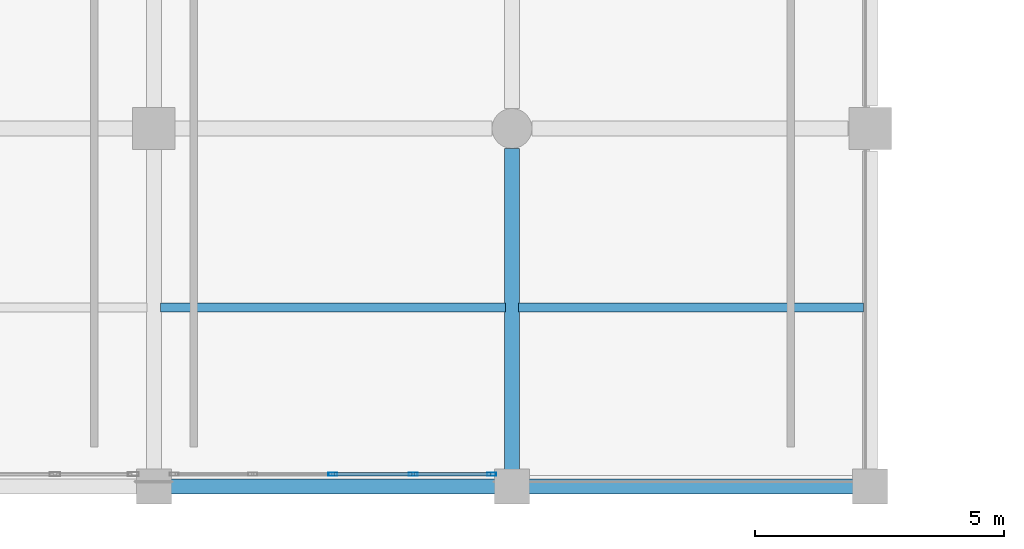
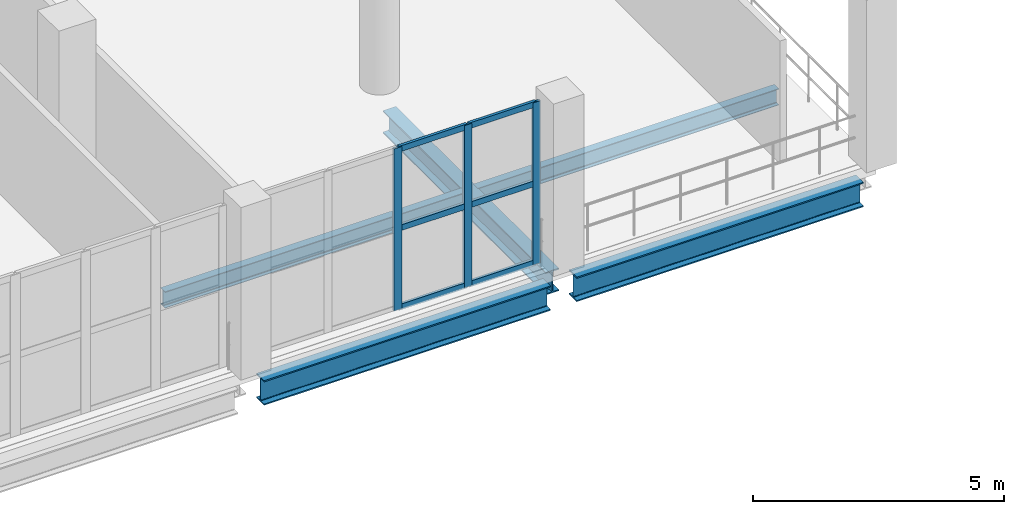
# One storey, part 31 of 153: 9 members, 5 beams, 1 element without a shape of its own.
"""IFC4 building model written with IfcOpenShell, lengths in metres."""

from ifc_helpers import new_model, si_unit, direction, frame, origin, origin_2d, place, context, subcontext, project, spatial, hollow_rectangle, i_section, extrude, material, material_profile, profile_set, type_object, element, aggregate, save


model = new_model("IFC4")

# Units and contexts
model_context = context("Model", 3, precision=1e-05, world=origin(), true_north=direction((0.0, 1.0)))
body_context = subcontext(model_context, "Body", "Model", "MODEL_VIEW")
ifc_project = project(units=[si_unit("LENGTHUNIT", "METRE"), si_unit("AREAUNIT", "SQUARE_METRE"), si_unit("VOLUMEUNIT", "CUBIC_METRE"), si_unit("PLANEANGLEUNIT", "RADIAN"), si_unit("MASSUNIT", "GRAM", prefix="KILO")], contexts=[model_context])

# Site, building, storey
site_placement = place(None, origin())
site = spatial("IfcSite", under=ifc_project, at=site_placement, CompositionType="ELEMENT")
building_placement = place(site_placement, origin())
building = spatial("IfcBuilding", under=site, at=building_placement, Name="Qandorah Velis Arena", CompositionType="ELEMENT")
storey_placement = place(building_placement, frame((0.0, 0.0, 5.39990234375)))
storey = spatial("IfcBuildingStorey", under=building, at=storey_placement, Name="L01", CompositionType="ELEMENT", Elevation=5.39990234375)

# Curtain wall, members
ifc_material_1 = material(Name="Solar-control low-E double glazing", Category="glass")
curtain_wall_type = type_object("IfcCurtainWallType", Name="ARC-CW-SYS14", PredefinedType="USERDEFINED", material=ifc_material_1)
curtain_wall_placement = place(storey_placement, origin())
curtain_wall = element("IfcCurtainWall", 1, at=curtain_wall_placement, inside=storey, type_object=curtain_wall_type, Name="Unitised curtain wall L01-062", ObjectType="UNITISED CURTAIN WALL", PredefinedType="USERDEFINED")
ifc_material_2 = material(Name="Champagne-bronze anodized aluminium 6063-T6", Category="aluminium")
ifc_material_profile_1 = material_profile(ifc_material_2, hollow_rectangle(XDim=0.06494140625, YDim=0.179931640625, WallThickness=0.00341796875, at=origin_2d()), Name="ALU MULLION 65x180")
ifc_profile_set_1 = profile_set([ifc_material_profile_1], Name="Champagne-bronze anodized aluminium 6063-T6")
member_type_1 = type_object("IfcMemberType", Name="ARC-CWM-180", PredefinedType="MULLION", material=ifc_profile_set_1)
member_1_placement = place(storey_placement, frame((104.39990234375, 0.25, -0.014892578125), z_axis=(0.0, 0.0, 1.0), x_axis=(0.0, 1.0, 0.0)))
member_1 = element("IfcMember", 2, at=member_1_placement, type_object=member_type_1, Name="CW14 mullion 3", PredefinedType="MULLION", context=body_context, shape_type="SweptSolid", body=[
    extrude(hollow_rectangle(XDim=0.06494140625, YDim=0.179931640625, WallThickness=0.00341796875, at=origin_2d()), origin(), (0.0, 0.0, 1.0), 3.949951171875),
])
member_2_placement = place(storey_placement, frame((106.012451171875, 0.25, -0.014892578125), z_axis=(0.0, 0.0, 1.0), x_axis=(0.0, 1.0, 0.0)))
member_2 = element("IfcMember", 3, at=member_2_placement, type_object=member_type_1, Name="CW14 mullion 4", PredefinedType="MULLION", context=body_context, shape_type="SweptSolid", body=[
    extrude(hollow_rectangle(XDim=0.06494140625, YDim=0.179931640625, WallThickness=0.00341796875, at=origin_2d()), origin(), (0.0, 0.0, 1.0), 3.949951171875),
])
member_3_placement = place(storey_placement, frame((107.592529296875, 0.25, -0.014892578125), z_axis=(0.0, 0.0, 1.0), x_axis=(0.0, 1.0, 0.0)))
member_3 = element("IfcMember", 4, at=member_3_placement, type_object=member_type_1, Name="CW14 mullion 5", PredefinedType="MULLION", context=body_context, shape_type="SweptSolid", body=[
    extrude(hollow_rectangle(XDim=0.06494140625, YDim=0.179931640625, WallThickness=0.00341796875, at=origin_2d()), origin(), (0.0, 0.0, 1.0), 3.949951171875),
])
ifc_material_profile_2 = material_profile(ifc_material_2, hollow_rectangle(XDim=0.06494140625, YDim=0.139892578125, WallThickness=0.0029296875, at=origin_2d()), Name="ALU TRANSOM 65x140")
ifc_profile_set_2 = profile_set([ifc_material_profile_2], Name="Champagne-bronze anodized aluminium 6063-T6")
member_type_2 = type_object("IfcMemberType", Name="ARC-CWT-140", PredefinedType="USERDEFINED", material=ifc_profile_set_2)
member_4_placement = place(storey_placement, frame((104.42041015625, 0.25, 0.03271484375), z_axis=(1.0, 0.0, 0.0), x_axis=(0.0, 1.0, 0.0)))
member_4 = element("IfcMember", 5, at=member_4_placement, type_object=member_type_2, Name="CW14 transom 3.1", ObjectType="TRANSOM", PredefinedType="USERDEFINED", context=body_context, shape_type="SweptSolid", body=[
    extrude(hollow_rectangle(XDim=0.06494140625, YDim=0.139892578125, WallThickness=0.0029296875, at=origin_2d()), origin(), (0.0, 0.0, 1.0), 1.571533203125),
])
member_5_placement = place(storey_placement, frame((104.42041015625, 0.25, 1.960205078125), z_axis=(1.0, 0.0, 0.0), x_axis=(0.0, 1.0, 0.0)))
member_5 = element("IfcMember", 6, at=member_5_placement, type_object=member_type_2, Name="CW14 transom 3.2", ObjectType="TRANSOM", PredefinedType="USERDEFINED", context=body_context, shape_type="SweptSolid", body=[
    extrude(hollow_rectangle(XDim=0.06494140625, YDim=0.139892578125, WallThickness=0.0029296875, at=origin_2d()), origin(), (0.0, 0.0, 1.0), 1.571533203125),
])
member_6_placement = place(storey_placement, frame((104.42041015625, 0.25, 3.8876953125), z_axis=(1.0, 0.0, 0.0), x_axis=(0.0, 1.0, 0.0)))
member_6 = element("IfcMember", 7, at=member_6_placement, type_object=member_type_2, Name="CW14 transom 3.3", ObjectType="TRANSOM", PredefinedType="USERDEFINED", context=body_context, shape_type="SweptSolid", body=[
    extrude(hollow_rectangle(XDim=0.06494140625, YDim=0.139892578125, WallThickness=0.0029296875, at=origin_2d()), origin(), (0.0, 0.0, 1.0), 1.571533203125),
])
member_7_placement = place(storey_placement, frame((106.032958984375, 0.25, 0.03271484375), z_axis=(1.0, 0.0, 0.0), x_axis=(0.0, 1.0, 0.0)))
member_7 = element("IfcMember", 8, at=member_7_placement, type_object=member_type_2, Name="CW14 transom 4.1", ObjectType="TRANSOM", PredefinedType="USERDEFINED", context=body_context, shape_type="SweptSolid", body=[
    extrude(hollow_rectangle(XDim=0.06494140625, YDim=0.139892578125, WallThickness=0.0029296875, at=origin_2d()), origin(), (0.0, 0.0, 1.0), 1.5390625),
])
member_8_placement = place(storey_placement, frame((106.032958984375, 0.25, 1.960205078125), z_axis=(1.0, 0.0, 0.0), x_axis=(0.0, 1.0, 0.0)))
member_8 = element("IfcMember", 9, at=member_8_placement, type_object=member_type_2, Name="CW14 transom 4.2", ObjectType="TRANSOM", PredefinedType="USERDEFINED", context=body_context, shape_type="SweptSolid", body=[
    extrude(hollow_rectangle(XDim=0.06494140625, YDim=0.139892578125, WallThickness=0.0029296875, at=origin_2d()), origin(), (0.0, 0.0, 1.0), 1.5390625),
])
member_9_placement = place(storey_placement, frame((106.032958984375, 0.25, 3.8876953125), z_axis=(1.0, 0.0, 0.0), x_axis=(0.0, 1.0, 0.0)))
member_9 = element("IfcMember", 10, at=member_9_placement, type_object=member_type_2, Name="CW14 transom 4.3", ObjectType="TRANSOM", PredefinedType="USERDEFINED", context=body_context, shape_type="SweptSolid", body=[
    extrude(hollow_rectangle(XDim=0.06494140625, YDim=0.139892578125, WallThickness=0.0029296875, at=origin_2d()), origin(), (0.0, 0.0, 1.0), 1.5390625),
])
aggregate(curtain_wall, [member_1, member_2, member_3, member_4, member_5, member_6, member_7, member_8, member_9])

# Beams
ifc_material_3 = material(Name="Steel S355", Category="steel")
ifc_material_profile_3 = material_profile(ifc_material_3, i_section(OverallWidth=0.300048828125, OverallDepth=0.550048828125, WebThickness=0.014892578125, FlangeThickness=0.029052734375, FilletRadius=0.027099609375, at=origin_2d()), Name="HEB 550")
ifc_profile_set_3 = profile_set([ifc_material_profile_3], Name="Steel S355")
beam_type_1 = type_object("IfcBeamType", Name="STR-BM-HEB550", PredefinedType="BEAM", material=ifc_profile_set_3)
beam_placement = place(storey_placement, frame((108.0, 0.300048828125, -0.635009765625), z_axis=(0.0, 1.0, 0.0), x_axis=(-1.0, 0.0, 0.0)))
element("IfcBeam", 11, at=beam_placement, inside=storey, type_object=beam_type_1, Name="Primary floor girder L01 Y-359", PredefinedType="BEAM", context=body_context, shape_type="SweptSolid", body=[
    extrude(i_section(OverallWidth=0.300048828125, OverallDepth=0.550048828125, WebThickness=0.014892578125, FlangeThickness=0.029052734375, FilletRadius=0.027099609375, at=origin_2d()), origin(), (0.0, 0.0, 1.0), 6.5),
])
ifc_material_profile_4 = material_profile(ifc_material_3, i_section(OverallWidth=0.300048828125, OverallDepth=0.60009765625, WebThickness=0.015380859375, FlangeThickness=0.030029296875, FilletRadius=0.027099609375, at=origin_2d()), Name="HEB 600")
ifc_profile_set_4 = profile_set([ifc_material_profile_4], Name="Steel S355")
beam_type_2 = type_object("IfcBeamType", Name="STR-BM-HEB600", PredefinedType="BEAM", material=ifc_profile_set_4)
for number, where, z_axis, x_axis, name in (
    (12, (101.10009765625, 0.0, -0.659912109375), (1.0, 0.0, 0.0), (0.0, 1.0, 0.0), "Primary floor girder L01 X-015"),
    (13, (108.300048828125, 0.0, -0.659912109375), (1.0, 0.0, 0.0), (0.0, 1.0, 0.0), "Primary floor girder L01 X-016"),
):
    element("IfcBeam", number, at=place(storey_placement, frame(where, z_axis=z_axis, x_axis=x_axis)), inside=storey, type_object=beam_type_2, Name=name, PredefinedType="BEAM", context=body_context, shape_type="SweptSolid", body=[
        extrude(i_section(OverallWidth=0.300048828125, OverallDepth=0.60009765625, WebThickness=0.015380859375, FlangeThickness=0.030029296875, FilletRadius=0.027099609375, at=origin_2d()), origin(), (0.0, 0.0, 1.0), 6.599853515625),
    ])
ifc_material_profile_5 = material_profile(ifc_material_3, i_section(OverallWidth=0.179931640625, OverallDepth=0.39990234375, WebThickness=0.008544921875, FlangeThickness=0.013427734375, FilletRadius=0.02099609375, at=origin_2d()), Name="IPE 400")
ifc_profile_set_5 = profile_set([ifc_material_profile_5], Name="Steel S355")
beam_type_3 = type_object("IfcBeamType", Name="STR-JST-IPE400", PredefinedType="JOIST", material=ifc_profile_set_5)
for number, where, z_axis, x_axis, name in (
    (14, (100.93505859375, 3.60009765625, -0.559814453125), (1.0, 0.0, 0.0), (0.0, 1.0, 0.0), "Secondary floor joist L01-108"),
    (15, (108.135009765625, 3.60009765625, -0.559814453125), (1.0, 0.0, 0.0), (0.0, 1.0, 0.0), "Secondary floor joist L01-117"),
):
    element("IfcBeam", number, at=place(storey_placement, frame(where, z_axis=z_axis, x_axis=x_axis)), inside=storey, type_object=beam_type_3, Name=name, PredefinedType="JOIST", context=body_context, shape_type="SweptSolid", body=[
        extrude(i_section(OverallWidth=0.179931640625, OverallDepth=0.39990234375, WebThickness=0.008544921875, FlangeThickness=0.013427734375, FilletRadius=0.02099609375, at=origin_2d()), origin(), (0.0, 0.0, 1.0), 6.929931640625),
    ])

save(model, "model.ifc")
